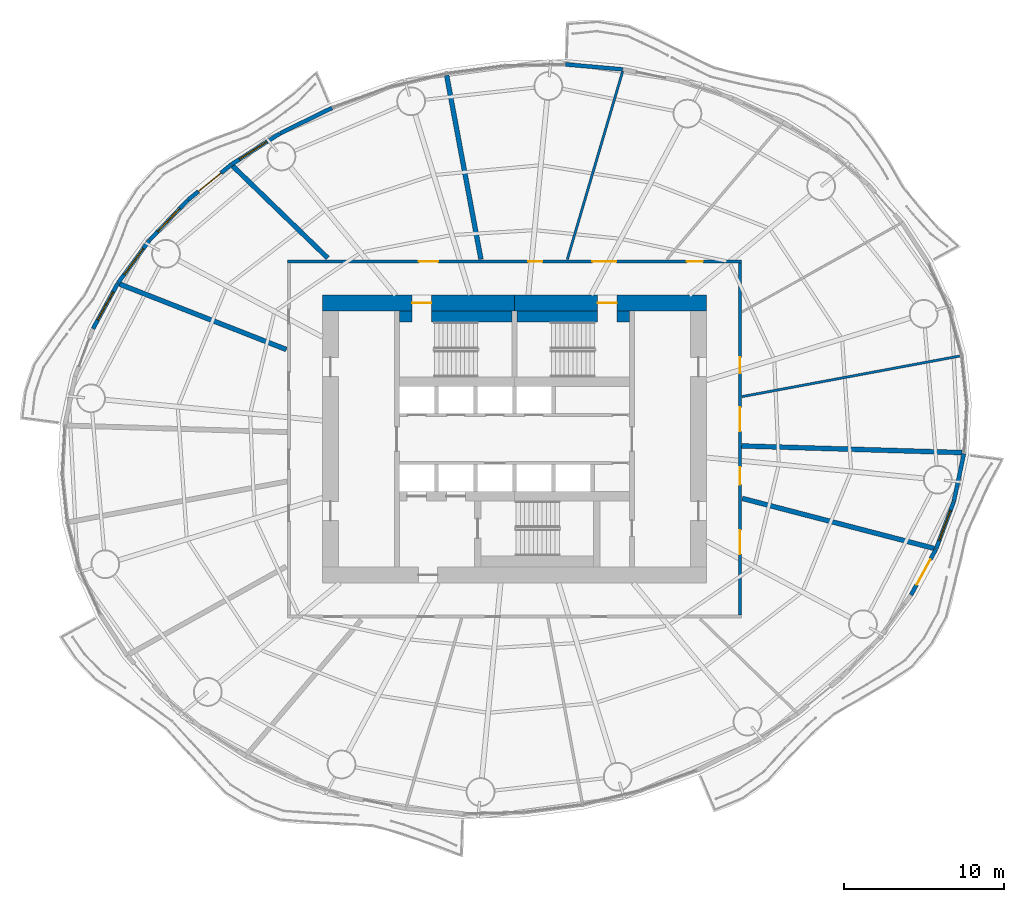
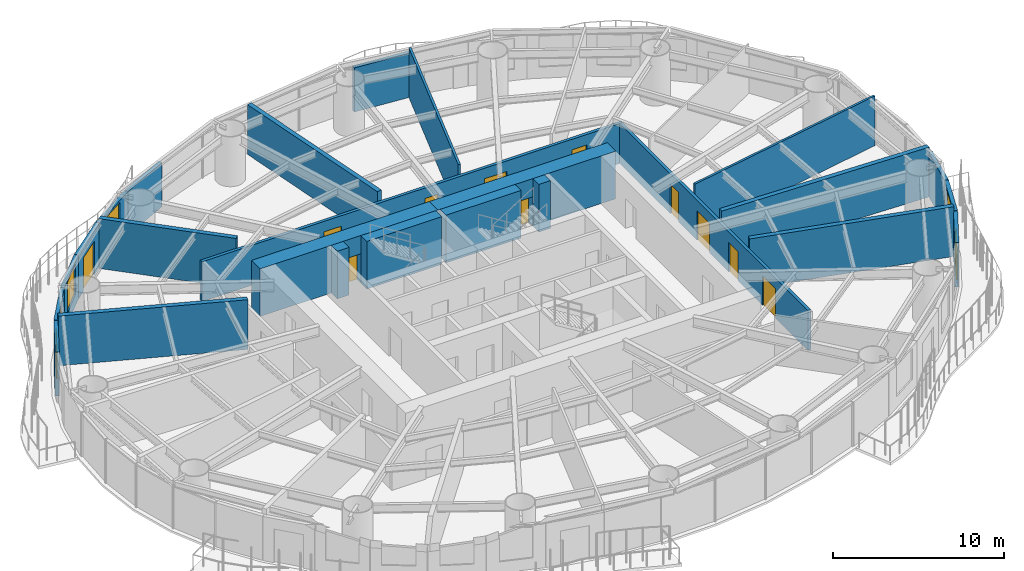
# One storey, part 10 of 17: 25 walls, 12 doors, 5 windows, 17 openings.
"""IFC4 building model written with IfcOpenShell, lengths in metres."""

from ifc_helpers import new_model, si_unit, direction, frame, frame_2d, origin, place, context, subcontext, project, spatial, rectangle, extrude, material, layer, layer_set, type_object, element, fill, save


model = new_model("IFC4")

# Units and contexts
model_context = context("Model", 3, precision=1e-05, world=origin(), true_north=direction((0.0, 1.0)))
body_context = subcontext(model_context, "Body", "Model", "MODEL_VIEW")
ifc_project = project(units=[si_unit("LENGTHUNIT", "METRE"), si_unit("AREAUNIT", "SQUARE_METRE"), si_unit("VOLUMEUNIT", "CUBIC_METRE"), si_unit("PLANEANGLEUNIT", "RADIAN"), si_unit("MASSUNIT", "GRAM", prefix="KILO")], contexts=[model_context])

# Site, building, storey
site_placement = place(None, origin())
site = spatial("IfcSite", under=ifc_project, at=site_placement, CompositionType="ELEMENT")
building_placement = place(site_placement, origin())
building = spatial("IfcBuilding", under=site, at=building_placement, Name="Vermilion Reach Broadcast Tower", CompositionType="ELEMENT")
storey_placement = place(building_placement, frame((0.0, 0.0, 76.699951171875)))
storey = spatial("IfcBuildingStorey", under=building, at=storey_placement, Name="L16", CompositionType="ELEMENT", Elevation=76.699951171875)

# Wall, opening, door
ifc_material_1 = material(Name="Concrete C70", Category="concrete")
ifc_layer_1 = layer(ifc_material_1, 1.0)
ifc_layer_set_1 = layer_set([ifc_layer_1], Name="Core outer wall 1000 mm Concrete C70")
wall_type_1 = type_object("IfcWallType", Name="Core outer wall 1000 mm Concrete C70", PredefinedType="SHEAR", material=ifc_layer_set_1)
wall_1_placement = place(storey_placement, frame((6.0, 8.5, 0.0), z_axis=(0.0, 0.0, 1.0), x_axis=(-1.0, 0.0, 0.0)))
wall_1 = element("IfcWall", 1, at=wall_1_placement, inside=storey, type_object=wall_type_1, Name="L16 core wall onE", PredefinedType="SHEAR", context=body_context, shape_type="SweptSolid", body=[
    extrude(rectangle(XDim=12.0, YDim=1.0, at=frame_2d((6.0, 0.0))), origin(), (0.0, 0.0, 1.0), 3.400146484375),
])
opening_1_placement = place(wall_1_placement, frame((5.60009765625, 0.0, 0.0)))
opening_1 = element("IfcOpeningElement", 2, at=opening_1_placement, cuts=wall_1, Name="Opening D01", PredefinedType="OPENING", context=body_context, shape_type="SweptSolid", body=[
    extrude(rectangle(XDim=1.199951171875, YDim=2.10009765625, at=frame_2d((0.60009765625, 1.050048828125))), frame((0.0, 0.510009765625, 0.0), z_axis=(0.0, -1.0, 0.0), x_axis=(1.0, 0.0, 0.0)), (0.0, 0.0, 1.0), 1.02001953125),
])
ifc_material_2 = material(Name="Painted steel fire door", Category="steel")
door_type_1 = type_object("IfcDoorType", Name="Stair door 1200 x 2100", OperationType="DOUBLE_DOOR_SINGLE_SWING", PredefinedType="NOTDEFINED", material=ifc_material_2)
door_1_placement = place(opening_1_placement, origin())
door_1 = element("IfcDoor", 3, at=door_1_placement, inside=storey, type_object=door_type_1, Name="L16 stair door ST2", OperationType="DOUBLE_DOOR_SINGLE_SWING", OverallHeight=2.10009765625, OverallWidth=1.199951171875, PredefinedType="NOTDEFINED", context=body_context, shape_type="SweptSolid", body=[
    extrude(rectangle(XDim=1.199951171875, YDim=2.10009765625, at=frame_2d((0.60009765625, 1.050048828125))), frame((0.0, 0.02490234375, 0.0), z_axis=(0.0, -1.0, 0.0), x_axis=(1.0, 0.0, 0.0)), (0.0, 0.0, 1.0), 0.050048828125),
])
fill(opening_1, door_1)

wall_2_placement = place(storey_placement, frame((-6.0, 8.5, 0.0), z_axis=(0.0, 0.0, 1.0), x_axis=(-1.0, 0.0, 0.0)))
wall_2 = element("IfcWall", 4, at=wall_2_placement, inside=storey, type_object=wall_type_1, Name="L16 core wall onW", PredefinedType="SHEAR", context=body_context, shape_type="SweptSolid", body=[
    extrude(rectangle(XDim=12.0, YDim=1.0, at=frame_2d((6.0, 0.0))), origin(), (0.0, 0.0, 1.0), 3.400146484375),
])
opening_2_placement = place(wall_2_placement, frame((5.199951171875, 0.0, 0.0)))
opening_2 = element("IfcOpeningElement", 5, at=opening_2_placement, cuts=wall_2, Name="Opening D01", PredefinedType="OPENING", context=body_context, shape_type="SweptSolid", body=[
    extrude(rectangle(XDim=1.199951171875, YDim=2.10009765625, at=frame_2d((0.60009765625, 1.050048828125))), frame((0.0, 0.510009765625, 0.0), z_axis=(0.0, -1.0, 0.0), x_axis=(1.0, 0.0, 0.0)), (0.0, 0.0, 1.0), 1.02001953125),
])
door_2_placement = place(opening_2_placement, origin())
door_2 = element("IfcDoor", 6, at=door_2_placement, inside=storey, type_object=door_type_1, Name="L16 stair door ST1", OperationType="DOUBLE_DOOR_SINGLE_SWING", OverallHeight=2.10009765625, OverallWidth=1.199951171875, PredefinedType="NOTDEFINED", context=body_context, shape_type="SweptSolid", body=[
    extrude(rectangle(XDim=1.199951171875, YDim=2.10009765625, at=frame_2d((0.60009765625, 1.050048828125))), frame((0.0, 0.02490234375, 0.0), z_axis=(0.0, -1.0, 0.0), x_axis=(1.0, 0.0, 0.0)), (0.0, 0.0, 1.0), 0.050048828125),
])
fill(opening_2, door_2)

# Walls
ifc_material_3 = material(Name="Concrete C70", Category="concrete")
ifc_layer_2 = layer(ifc_material_3, 0.699951171875)
ifc_layer_set_2 = layer_set([ifc_layer_2], Name="Core stair wall 700 mm Concrete C70")
wall_type_2 = type_object("IfcWallType", Name="Core stair wall 700 mm Concrete C70", PredefinedType="SHEAR", material=ifc_layer_set_2)
wall_3_placement = place(storey_placement, frame((-13.199951171875, 7.64990234375, 0.0), z_axis=(0.0, 0.0, 1.0), x_axis=(1.0, 0.0, 0.0)))
element("IfcWall", 7, at=wall_3_placement, inside=storey, type_object=wall_type_2, Name="L16 core wall l1a", PredefinedType="SHEAR", context=body_context, shape_type="SweptSolid", body=[
    extrude(rectangle(XDim=0.800048828125, YDim=0.699951171875, at=frame_2d((0.39990234375, 0.0))), origin(), (0.0, 0.0, 1.0), 3.400146484375),
])
for number, where, z_axis, x_axis, name in (
    (8, (-11.199951171875, 7.64990234375, 0.0), (0.0, 0.0, 1.0), (1.0, 0.0, 0.0), "L16 core wall l1b"),
    (9, (-5.85009765625, 7.64990234375, 0.0), (0.0, 0.0, 1.0), (1.0, 0.0, 0.0), "L16 core wall l2a"),
):
    element("IfcWall", number, at=place(storey_placement, frame(where, z_axis=z_axis, x_axis=x_axis)), inside=storey, type_object=wall_type_2, Name=name, PredefinedType="SHEAR", context=body_context, shape_type="SweptSolid", body=[
        extrude(rectangle(XDim=5.050048828125, YDim=0.699951171875, at=frame_2d((2.52490234375, 0.0))), origin(), (0.0, 0.0, 1.0), 3.400146484375),
    ])
wall_4_placement = place(storey_placement, frame((0.39990234375, 7.64990234375, 0.0), z_axis=(0.0, 0.0, 1.0), x_axis=(1.0, 0.0, 0.0)))
element("IfcWall", 10, at=wall_4_placement, inside=storey, type_object=wall_type_2, Name="L16 core wall l2b", PredefinedType="SHEAR", context=body_context, shape_type="SweptSolid", body=[
    extrude(rectangle(XDim=0.800048828125, YDim=0.699951171875, at=frame_2d((0.39990234375, 0.0))), origin(), (0.0, 0.0, 1.0), 3.400146484375),
])
ifc_material_4 = material(Name="Lightweight concrete block, plastered", Category="concrete")
ifc_layer_3 = layer(ifc_material_4, 0.14990234375)
ifc_layer_set_3 = layer_set([ifc_layer_3], Name="Partition 150 lightweight block")
wall_type_3 = type_object("IfcWallType", Name="Partition 150 lightweight block", PredefinedType="PARTITIONING", material=ifc_layer_set_3)
wall_5_placement = place(storey_placement, frame((21.825439453125, 5.187255859375, 0.0), z_axis=(0.0, 0.0, 1.0), x_axis=(-0.983062883459, -0.183268565676, 0.0)))
element("IfcWall", 11, at=wall_5_placement, inside=storey, type_object=wall_type_3, Name="Partition 16.01", PredefinedType="PARTITIONING", context=body_context, shape_type="SweptSolid", body=[
    extrude(rectangle(XDim=13.846435546875, YDim=0.14990234375, at=frame_2d((6.92333984375, 0.0))), origin(), (0.0, 0.0, 1.0), 3.550048828125),
])
wall_6_placement = place(storey_placement, frame((0.76171875, 22.976318359375, 0.0), z_axis=(0.0, 0.0, 1.0), x_axis=(-0.282322729793, -0.959319486012, 0.0)))
element("IfcWall", 12, at=wall_6_placement, inside=storey, type_object=wall_type_3, Name="Partition 16.04", PredefinedType="PARTITIONING", context=body_context, shape_type="SweptSolid", body=[
    extrude(rectangle(XDim=12.253662109375, YDim=0.14990234375, at=frame_2d((6.126953125, 0.0))), origin(), (0.0, 0.0, 1.0), 3.550048828125),
])
ifc_material_5 = material(Name="Double-leaf plasterboard on isolated steel stud", Category="steel")
ifc_layer_4 = layer(ifc_material_5, 0.300048828125)
ifc_layer_set_4 = layer_set([ifc_layer_4], Name="Partition 300 acoustic double leaf")
wall_type_4 = type_object("IfcWallType", Name="Partition 300 acoustic double leaf", PredefinedType="PARTITIONING", material=ifc_layer_set_4)
wall_7_placement = place(storey_placement, frame((-10.236572265625, 22.72607421875, 0.0), z_axis=(0.0, 0.0, 1.0), x_axis=(0.183262598903, -0.983063995803, 0.0)))
element("IfcWall", 13, at=wall_7_placement, inside=storey, type_object=wall_type_4, Name="Partition 16.05", PredefinedType="PARTITIONING", context=body_context, shape_type="SweptSolid", body=[
    extrude(rectangle(XDim=11.696533203125, YDim=0.300048828125, at=frame_2d((5.84814453125, 0.0))), origin(), (0.0, 0.0, 1.0), 3.550048828125),
])
wall_8_placement = place(storey_placement, frame((-23.609130859375, 17.066162109375, 0.0), z_axis=(0.0, 0.0, 1.0), x_axis=(0.718084916204, -0.695955496508, 0.0)))
element("IfcWall", 14, at=wall_8_placement, inside=storey, type_object=wall_type_4, Name="Partition 16.06", PredefinedType="PARTITIONING", context=body_context, shape_type="SweptSolid", body=[
    extrude(rectangle(XDim=8.2744140625, YDim=0.300048828125, at=frame_2d((4.13720703125, 0.0))), origin(), (0.0, 0.0, 1.0), 3.550048828125),
])
wall_9_placement = place(storey_placement, frame((-30.67529296875, 9.68310546875, 0.0), z_axis=(0.0, 0.0, 1.0), x_axis=(0.930891924133, -0.365294710588, 0.0)))
element("IfcWall", 15, at=wall_9_placement, inside=storey, type_object=wall_type_4, Name="Partition 16.07", PredefinedType="PARTITIONING", context=body_context, shape_type="SweptSolid", body=[
    extrude(rectangle(XDim=11.194091796875, YDim=0.300048828125, at=frame_2d((5.59716796875, 0.0))), origin(), (0.0, 0.0, 1.0), 3.550048828125),
])
wall_10_placement = place(storey_placement, frame((20.230224609375, -6.835205078125, 0.0), z_axis=(0.0, 0.0, 1.0), x_axis=(-0.967685437555, 0.252160452774, 0.0)))
element("IfcWall", 16, at=wall_10_placement, inside=storey, type_object=wall_type_4, Name="Partition 16.15", PredefinedType="PARTITIONING", context=body_context, shape_type="SweptSolid", body=[
    extrude(rectangle(XDim=12.392822265625, YDim=0.300048828125, at=frame_2d((6.1962890625, 0.0))), origin(), (0.0, 0.0, 1.0), 3.550048828125),
])
wall_11_placement = place(storey_placement, frame((21.976318359375, -0.848388671875, 0.0), z_axis=(0.0, 0.0, 1.0), x_axis=(-0.999540837696, 0.030300392357, 0.0)))
element("IfcWall", 17, at=wall_11_placement, inside=storey, type_object=wall_type_4, Name="Partition 16.16", PredefinedType="PARTITIONING", context=body_context, shape_type="SweptSolid", body=[
    extrude(rectangle(XDim=13.778076171875, YDim=0.300048828125, at=frame_2d((6.88916015625, 0.0))), origin(), (0.0, 0.0, 1.0), 3.550048828125),
])
ifc_material_6 = material(Name="Terracotta rainscreen cladding", Category="masonry")
ifc_layer_5 = layer(ifc_material_6, 0.25)
ifc_layer_set_5 = layer_set([ifc_layer_5], Name="Terracotta rainscreen wall 250")
wall_type_5 = type_object("IfcWallType", Name="Terracotta rainscreen wall 250", PredefinedType="SOLIDWALL", material=ifc_layer_set_5)
wall_12_placement = place(storey_placement, frame((0.768310546875, 23.10107421875, 0.0), z_axis=(0.0, 0.0, 1.0), x_axis=(-0.996218891736, 0.086878764662, 0.0)))
element("IfcWall", 18, at=wall_12_placement, inside=storey, type_object=wall_type_5, Name="External wall L16 09", PredefinedType="SOLIDWALL", context=body_context, shape_type="SweptSolid", body=[
    extrude(rectangle(XDim=3.59423828125, YDim=0.25, at=frame_2d((1.797119140625, 0.0))), origin(), (0.0, 0.0, 1.0), 3.150146484375),
])
wall_13_placement = place(storey_placement, frame((-17.409912109375, 20.692138671875, 0.0), z_axis=(0.0, 0.0, 1.0), x_axis=(-0.897998084463, -0.439999363978, 0.0)))
element("IfcWall", 19, at=wall_13_placement, inside=storey, type_object=wall_type_5, Name="External wall L16 14", PredefinedType="SOLIDWALL", context=body_context, shape_type="SweptSolid", body=[
    extrude(rectangle(XDim=3.594482421875, YDim=0.25, at=frame_2d((1.79736328125, 0.0))), origin(), (0.0, 0.0, 1.0), 3.150146484375),
])

# Wall, opening, window
wall_14_placement = place(storey_placement, frame((-20.65673828125, 19.099609375, 0.0), z_axis=(0.0, 0.0, 1.0), x_axis=(-0.842814889598, -0.538203550594, 0.0)))
wall_14 = element("IfcWall", 20, at=wall_14_placement, inside=storey, type_object=wall_type_5, Name="External wall L16 15", PredefinedType="SOLIDWALL", context=body_context, shape_type="SweptSolid", body=[
    extrude(rectangle(XDim=3.57861328125, YDim=0.25, at=frame_2d((1.789306640625, 0.0))), origin(), (0.0, 0.0, 1.0), 3.150146484375),
])
opening_3_placement = place(wall_14_placement, frame((0.989013671875, 0.0, 0.800048828125)))
opening_3 = element("IfcOpeningElement", 21, at=opening_3_placement, cuts=wall_14, Name="Opening W01", PredefinedType="OPENING", context=body_context, shape_type="SweptSolid", body=[
    extrude(rectangle(XDim=2.0, YDim=2.199951171875, at=frame_2d((1.0, 1.10009765625))), frame((0.0, 0.135009765625, 0.0), z_axis=(0.0, -1.0, 0.0), x_axis=(1.0, 0.0, 0.0)), (0.0, 0.0, 1.0), 0.27001953125),
])
ifc_material_7 = material(Name="Low-e laminated clear glass in aluminium frame", Category="aluminium")
window_type = type_object("IfcWindowType", Name="Punched window 2000 x 2200 sill 800", PartitioningType="SINGLE_PANEL", PredefinedType="WINDOW", material=ifc_material_7)
window_1_placement = place(opening_3_placement, origin())
window_1 = element("IfcWindow", 22, at=window_1_placement, inside=storey, type_object=window_type, Name="Window L16 15", OverallHeight=2.199951171875, OverallWidth=2.0, PartitioningType="SINGLE_PANEL", PredefinedType="WINDOW", context=body_context, shape_type="SweptSolid", body=[
    extrude(rectangle(XDim=2.0, YDim=2.199951171875, at=frame_2d((1.0, 1.10009765625))), frame((0.0, 0.030029296875, 0.0), z_axis=(0.0, -1.0, 0.0), x_axis=(1.0, 0.0, 0.0)), (0.0, 0.0, 1.0), 0.06005859375),
])
fill(opening_3, window_1)

# Wall, opening, door
wall_15_placement = place(storey_placement, frame((-23.691162109375, 17.160400390625, 0.0), z_axis=(0.0, 0.0, 1.0), x_axis=(-0.774224225452, -0.632911406694, 0.0)))
wall_15 = element("IfcWall", 23, at=wall_15_placement, inside=storey, type_object=wall_type_5, Name="External wall L16 16", PredefinedType="SOLIDWALL", context=body_context, shape_type="SweptSolid", body=[
    extrude(rectangle(XDim=3.503662109375, YDim=0.25, at=frame_2d((1.751953125, 0.0))), origin(), (0.0, 0.0, 1.0), 3.150146484375),
])
opening_4_placement = place(wall_15_placement, frame((0.85205078125, 0.0, 0.0)))
opening_4 = element("IfcOpeningElement", 24, at=opening_4_placement, cuts=wall_15, Name="Opening D70", PredefinedType="OPENING", context=body_context, shape_type="SweptSolid", body=[
    extrude(rectangle(XDim=1.800048828125, YDim=2.39990234375, at=frame_2d((0.89990234375, 1.199951171875))), frame((0.0, 0.135009765625, 0.0), z_axis=(0.0, -1.0, 0.0), x_axis=(1.0, 0.0, 0.0)), (0.0, 0.0, 1.0), 0.27001953125),
])
ifc_material_8 = material(Name="Low-e laminated clear glass in aluminium frame", Category="aluminium")
door_type_2 = type_object("IfcDoorType", Name="Balcony sliding door 1800 x 2400", OperationType="DOUBLE_DOOR_SLIDING", PredefinedType="DOOR", material=ifc_material_8)
door_3_placement = place(opening_4_placement, origin())
door_3 = element("IfcDoor", 25, at=door_3_placement, inside=storey, type_object=door_type_2, Name="Balcony door L16 run 04", OperationType="DOUBLE_DOOR_SLIDING", OverallHeight=2.39990234375, OverallWidth=1.800048828125, PredefinedType="DOOR", context=body_context, shape_type="SweptSolid", body=[
    extrude(rectangle(XDim=1.800048828125, YDim=2.39990234375, at=frame_2d((0.89990234375, 1.199951171875))), frame((0.0, 0.02490234375, 0.0), z_axis=(0.0, -1.0, 0.0), x_axis=(1.0, 0.0, 0.0)), (0.0, 0.0, 1.0), 0.050048828125),
])
fill(opening_4, door_3)

# Wall, opening, window
wall_16_placement = place(storey_placement, frame((-26.4208984375, 14.92724609375, 0.0), z_axis=(0.0, 0.0, 1.0), x_axis=(-0.691365335557, -0.722505344472, 0.0)))
wall_16 = element("IfcWall", 26, at=wall_16_placement, inside=storey, type_object=wall_type_5, Name="External wall L16 17", PredefinedType="SOLIDWALL", context=body_context, shape_type="SweptSolid", body=[
    extrude(rectangle(XDim=3.418212890625, YDim=0.25, at=frame_2d((1.708984375, 0.0))), origin(), (0.0, 0.0, 1.0), 3.150146484375),
])
opening_5_placement = place(wall_16_placement, frame((0.708984375, 0.0, 0.800048828125)))
opening_5 = element("IfcOpeningElement", 27, at=opening_5_placement, cuts=wall_16, Name="Opening W01", PredefinedType="OPENING", context=body_context, shape_type="SweptSolid", body=[
    extrude(rectangle(XDim=2.0, YDim=2.199951171875, at=frame_2d((1.0, 1.10009765625))), frame((0.0, 0.135009765625, 0.0), z_axis=(0.0, -1.0, 0.0), x_axis=(1.0, 0.0, 0.0)), (0.0, 0.0, 1.0), 0.27001953125),
])
window_2_placement = place(opening_5_placement, origin())
window_2 = element("IfcWindow", 28, at=window_2_placement, inside=storey, type_object=window_type, Name="Window L16 17", OverallHeight=2.199951171875, OverallWidth=2.0, PartitioningType="SINGLE_PANEL", PredefinedType="WINDOW", context=body_context, shape_type="SweptSolid", body=[
    extrude(rectangle(XDim=2.0, YDim=2.199951171875, at=frame_2d((1.0, 1.10009765625))), frame((0.0, 0.030029296875, 0.0), z_axis=(0.0, -1.0, 0.0), x_axis=(1.0, 0.0, 0.0)), (0.0, 0.0, 1.0), 0.06005859375),
])
fill(opening_5, window_2)

wall_17_placement = place(storey_placement, frame((-28.799560546875, 12.439208984375, 0.0), z_axis=(0.0, 0.0, 1.0), x_axis=(-0.593169002349, -0.805077968058, 0.0)))
wall_17 = element("IfcWall", 29, at=wall_17_placement, inside=storey, type_object=wall_type_5, Name="External wall L16 18", PredefinedType="SOLIDWALL", context=body_context, shape_type="SweptSolid", body=[
    extrude(rectangle(XDim=3.3271484375, YDim=0.25, at=frame_2d((1.66357421875, 0.0))), origin(), (0.0, 0.0, 1.0), 3.150146484375),
])
opening_6_placement = place(wall_17_placement, frame((0.66357421875, 0.0, 0.800048828125)))
opening_6 = element("IfcOpeningElement", 30, at=opening_6_placement, cuts=wall_17, Name="Opening W01", PredefinedType="OPENING", context=body_context, shape_type="SweptSolid", body=[
    extrude(rectangle(XDim=2.0, YDim=2.199951171875, at=frame_2d((1.0, 1.10009765625))), frame((0.0, 0.135009765625, 0.0), z_axis=(0.0, -1.0, 0.0), x_axis=(1.0, 0.0, 0.0)), (0.0, 0.0, 1.0), 0.27001953125),
])
window_3_placement = place(opening_6_placement, origin())
window_3 = element("IfcWindow", 31, at=window_3_placement, inside=storey, type_object=window_type, Name="Window L16 18", OverallHeight=2.199951171875, OverallWidth=2.0, PartitioningType="SINGLE_PANEL", PredefinedType="WINDOW", context=body_context, shape_type="SweptSolid", body=[
    extrude(rectangle(XDim=2.0, YDim=2.199951171875, at=frame_2d((1.0, 1.10009765625))), frame((0.0, 0.030029296875, 0.0), z_axis=(0.0, -1.0, 0.0), x_axis=(1.0, 0.0, 0.0)), (0.0, 0.0, 1.0), 0.06005859375),
])
fill(opening_6, window_3)

wall_18_placement = place(storey_placement, frame((-30.78662109375, 9.739501953125, 0.0), z_axis=(0.0, 0.0, 1.0), x_axis=(-0.479174455818, -0.877719682411, 0.0)))
wall_18 = element("IfcWall", 32, at=wall_18_placement, inside=storey, type_object=wall_type_5, Name="External wall L16 19", PredefinedType="SOLIDWALL", context=body_context, shape_type="SweptSolid", body=[
    extrude(rectangle(XDim=3.23681640625, YDim=0.25, at=frame_2d((1.618408203125, 0.0))), origin(), (0.0, 0.0, 1.0), 3.150146484375),
])
opening_7_placement = place(wall_18_placement, frame((0.618408203125, 0.0, 0.800048828125)))
opening_7 = element("IfcOpeningElement", 33, at=opening_7_placement, cuts=wall_18, Name="Opening W01", PredefinedType="OPENING", context=body_context, shape_type="SweptSolid", body=[
    extrude(rectangle(XDim=2.0, YDim=2.199951171875, at=frame_2d((1.0, 1.10009765625))), frame((0.0, 0.135009765625, 0.0), z_axis=(0.0, -1.0, 0.0), x_axis=(1.0, 0.0, 0.0)), (0.0, 0.0, 1.0), 0.27001953125),
])
window_4_placement = place(opening_7_placement, origin())
window_4 = element("IfcWindow", 34, at=window_4_placement, inside=storey, type_object=window_type, Name="Window L16 19", OverallHeight=2.199951171875, OverallWidth=2.0, PartitioningType="SINGLE_PANEL", PredefinedType="WINDOW", context=body_context, shape_type="SweptSolid", body=[
    extrude(rectangle(XDim=2.0, YDim=2.199951171875, at=frame_2d((1.0, 1.10009765625))), frame((0.0, 0.030029296875, 0.0), z_axis=(0.0, -1.0, 0.0), x_axis=(1.0, 0.0, 0.0)), (0.0, 0.0, 1.0), 0.06005859375),
])
fill(opening_7, window_4)

# Wall, opening, door
wall_19_placement = place(storey_placement, frame((18.78662109375, -9.739501953125, 0.0), z_axis=(0.0, 0.0, 1.0), x_axis=(0.479174455818, 0.877719682411, 0.0)))
wall_19 = element("IfcWall", 35, at=wall_19_placement, inside=storey, type_object=wall_type_5, Name="External wall L16 43", PredefinedType="SOLIDWALL", context=body_context, shape_type="SweptSolid", body=[
    extrude(rectangle(XDim=3.23681640625, YDim=0.25, at=frame_2d((1.618408203125, 0.0))), origin(), (0.0, 0.0, 1.0), 3.150146484375),
])
opening_8_placement = place(wall_19_placement, frame((0.718017578125, 0.0, 0.0)))
opening_8 = element("IfcOpeningElement", 36, at=opening_8_placement, cuts=wall_19, Name="Opening D70", PredefinedType="OPENING", context=body_context, shape_type="SweptSolid", body=[
    extrude(rectangle(XDim=1.800048828125, YDim=2.39990234375, at=frame_2d((0.89990234375, 1.199951171875))), frame((0.0, 0.135009765625, 0.0), z_axis=(0.0, -1.0, 0.0), x_axis=(1.0, 0.0, 0.0)), (0.0, 0.0, 1.0), 0.27001953125),
])
door_4_placement = place(opening_8_placement, origin())
door_4 = element("IfcDoor", 37, at=door_4_placement, inside=storey, type_object=door_type_2, Name="Balcony door L16 run 11", OperationType="DOUBLE_DOOR_SLIDING", OverallHeight=2.39990234375, OverallWidth=1.800048828125, PredefinedType="DOOR", context=body_context, shape_type="SweptSolid", body=[
    extrude(rectangle(XDim=1.800048828125, YDim=2.39990234375, at=frame_2d((0.89990234375, 1.199951171875))), frame((0.0, 0.02490234375, 0.0), z_axis=(0.0, -1.0, 0.0), x_axis=(1.0, 0.0, 0.0)), (0.0, 0.0, 1.0), 0.050048828125),
])
fill(opening_8, door_4)

# Wall, opening, window
wall_20_placement = place(storey_placement, frame((20.348388671875, -6.875, 0.0), z_axis=(0.0, 0.0, 1.0), x_axis=(0.349935355695, 0.936773850422, 0.0)))
wall_20 = element("IfcWall", 38, at=wall_20_placement, inside=storey, type_object=wall_type_5, Name="External wall L16 44", PredefinedType="SOLIDWALL", context=body_context, shape_type="SweptSolid", body=[
    extrude(rectangle(XDim=3.153564453125, YDim=0.25, at=frame_2d((1.57666015625, 0.0))), origin(), (0.0, 0.0, 1.0), 3.150146484375),
])
opening_9_placement = place(wall_20_placement, frame((0.576904296875, 0.0, 0.800048828125)))
opening_9 = element("IfcOpeningElement", 39, at=opening_9_placement, cuts=wall_20, Name="Opening W01", PredefinedType="OPENING", context=body_context, shape_type="SweptSolid", body=[
    extrude(rectangle(XDim=2.0, YDim=2.199951171875, at=frame_2d((1.0, 1.10009765625))), frame((0.0, 0.135009765625, 0.0), z_axis=(0.0, -1.0, 0.0), x_axis=(1.0, 0.0, 0.0)), (0.0, 0.0, 1.0), 0.27001953125),
])
window_5_placement = place(opening_9_placement, origin())
window_5 = element("IfcWindow", 40, at=window_5_placement, inside=storey, type_object=window_type, Name="Window L16 44", OverallHeight=2.199951171875, OverallWidth=2.0, PartitioningType="SINGLE_PANEL", PredefinedType="WINDOW", context=body_context, shape_type="SweptSolid", body=[
    extrude(rectangle(XDim=2.0, YDim=2.199951171875, at=frame_2d((1.0, 1.10009765625))), frame((0.0, 0.030029296875, 0.0), z_axis=(0.0, -1.0, 0.0), x_axis=(1.0, 0.0, 0.0)), (0.0, 0.0, 1.0), 0.06005859375),
])
fill(opening_9, window_5)

# Wall
wall_21_placement = place(storey_placement, frame((21.459228515625, -3.895263671875, 0.0), z_axis=(0.0, 0.0, 1.0), x_axis=(0.206952682713, 0.97835095294, 0.0)))
element("IfcWall", 41, at=wall_21_placement, inside=storey, type_object=wall_type_5, Name="External wall L16 45", PredefinedType="SOLIDWALL", context=body_context, shape_type="SweptSolid", body=[
    extrude(rectangle(XDim=3.04248046875, YDim=0.25, at=frame_2d((1.521240234375, 0.0))), origin(), (0.0, 0.0, 1.0), 3.150146484375),
])

# Wall, openings, doors
ifc_material_9 = material(Name="Fire-rated gypsum board partition")
ifc_layer_6 = layer(ifc_material_9, 0.199951171875)
ifc_layer_set_6 = layer_set([ifc_layer_6], Name="Under girder: Corridor wall 200 fire-rated")
wall_type_6 = type_object("IfcWallType", Name="Under girder: Corridor wall 200 fire-rated", PredefinedType="PARTITIONING", material=ifc_layer_set_6)
wall_22_placement = place(storey_placement, frame((-20.199951171875, 11.10009765625, 0.0), z_axis=(0.0, 0.0, 1.0), x_axis=(1.0, 0.0, 0.0)))
wall_22 = element("IfcWall", 42, at=wall_22_placement, inside=storey, type_object=wall_type_6, Name="Corridor wall 16.N", PredefinedType="PARTITIONING", context=body_context, shape_type="SweptSolid", body=[
    extrude(rectangle(XDim=28.39990234375, YDim=0.199951171875, at=frame_2d((14.199951171875, 0.0))), origin(), (0.0, 0.0, 1.0), 2.85009765625),
])
opening_10_placement = place(wall_22_placement, frame((24.97705078125, 0.0, 0.0)))
opening_10 = element("IfcOpeningElement", 43, at=opening_10_placement, cuts=wall_22, Name="Opening D20", PredefinedType="OPENING", context=body_context, shape_type="SweptSolid", body=[
    extrude(rectangle(XDim=1.0, YDim=2.10009765625, at=frame_2d((0.5, 1.050048828125))), frame((0.0, 0.10986328125, 0.0), z_axis=(0.0, -1.0, 0.0), x_axis=(1.0, 0.0, 0.0)), (0.0, 0.0, 1.0), 0.219970703125),
])
opening_11_placement = place(wall_22_placement, frame((19.075927734375, 0.0, 0.0)))
opening_11 = element("IfcOpeningElement", 44, at=opening_11_placement, cuts=wall_22, Name="Opening D24", PredefinedType="OPENING", context=body_context, shape_type="SweptSolid", body=[
    extrude(rectangle(XDim=1.5, YDim=2.10009765625, at=frame_2d((0.75, 1.050048828125))), frame((0.0, 0.10986328125, 0.0), z_axis=(0.0, -1.0, 0.0), x_axis=(1.0, 0.0, 0.0)), (0.0, 0.0, 1.0), 0.219970703125),
])
opening_12_placement = place(wall_22_placement, frame((15.05078125, 0.0, 0.0)))
opening_12 = element("IfcOpeningElement", 45, at=opening_12_placement, cuts=wall_22, Name="Opening D22", PredefinedType="OPENING", context=body_context, shape_type="SweptSolid", body=[
    extrude(rectangle(XDim=0.89990234375, YDim=2.10009765625, at=frame_2d((0.449951171875, 1.050048828125))), frame((0.0, 0.10986328125, 0.0), z_axis=(0.0, -1.0, 0.0), x_axis=(1.0, 0.0, 0.0)), (0.0, 0.0, 1.0), 0.219970703125),
])
opening_13_placement = place(wall_22_placement, frame((8.2314453125, 0.0, 0.0)))
opening_13 = element("IfcOpeningElement", 46, at=opening_13_placement, cuts=wall_22, Name="Opening D26", PredefinedType="OPENING", context=body_context, shape_type="SweptSolid", body=[
    extrude(rectangle(XDim=1.199951171875, YDim=2.10009765625, at=frame_2d((0.60009765625, 1.050048828125))), frame((0.0, 0.10986328125, 0.0), z_axis=(0.0, -1.0, 0.0), x_axis=(1.0, 0.0, 0.0)), (0.0, 0.0, 1.0), 0.219970703125),
])
ifc_material_10 = material(Name="Timber door leaf", Category="wood")
door_type_3 = type_object("IfcDoorType", Name="Door pair 1500x2100", OperationType="NOTDEFINED", PredefinedType="DOOR", material=ifc_material_10)
door_5_placement = place(opening_11_placement, origin())
door_5 = element("IfcDoor", 47, at=door_5_placement, inside=storey, type_object=door_type_3, Name="Door 16.03", OperationType="DOUBLE_DOOR_SINGLE_SWING", OverallHeight=2.10009765625, OverallWidth=1.5, PredefinedType="DOOR", context=body_context, shape_type="SweptSolid", body=[
    extrude(rectangle(XDim=1.5, YDim=2.10009765625, at=frame_2d((0.75, 1.050048828125))), frame((0.0, 0.02490234375, 0.0), z_axis=(0.0, -1.0, 0.0), x_axis=(1.0, 0.0, 0.0)), (0.0, 0.0, 1.0), 0.050048828125),
])
fill(opening_11, door_5)
ifc_material_11 = material(Name="Timber door leaf", Category="wood")
door_type_4 = type_object("IfcDoorType", Name="Door single 1000x2100", OperationType="NOTDEFINED", PredefinedType="DOOR", material=ifc_material_11)
door_6_placement = place(opening_10_placement, origin())
door_6 = element("IfcDoor", 48, at=door_6_placement, inside=storey, type_object=door_type_4, Name="Door 16.02", OperationType="SINGLE_SWING_LEFT", OverallHeight=2.10009765625, OverallWidth=1.0, PredefinedType="DOOR", context=body_context, shape_type="SweptSolid", body=[
    extrude(rectangle(XDim=1.0, YDim=2.10009765625, at=frame_2d((0.5, 1.050048828125))), frame((0.0, 0.02490234375, 0.0), z_axis=(0.0, -1.0, 0.0), x_axis=(1.0, 0.0, 0.0)), (0.0, 0.0, 1.0), 0.050048828125),
])
fill(opening_10, door_6)
ifc_material_12 = material(Name="Acoustic timber door leaf", Category="wood")
door_type_5 = type_object("IfcDoorType", Name="Door single 1200x2100", OperationType="NOTDEFINED", PredefinedType="DOOR", material=ifc_material_12)
door_7_placement = place(opening_13_placement, origin())
door_7 = element("IfcDoor", 49, at=door_7_placement, inside=storey, type_object=door_type_5, Name="Door 16.05", OperationType="SINGLE_SWING_RIGHT", OverallHeight=2.10009765625, OverallWidth=1.199951171875, PredefinedType="DOOR", context=body_context, shape_type="SweptSolid", body=[
    extrude(rectangle(XDim=1.199951171875, YDim=2.10009765625, at=frame_2d((0.60009765625, 1.050048828125))), frame((0.0, 0.02490234375, 0.0), z_axis=(0.0, -1.0, 0.0), x_axis=(1.0, 0.0, 0.0)), (0.0, 0.0, 1.0), 0.050048828125),
])
fill(opening_13, door_7)
ifc_material_13 = material(Name="Timber door leaf", Category="wood")
door_type_6 = type_object("IfcDoorType", Name="Door single 900x2100", OperationType="NOTDEFINED", PredefinedType="DOOR", material=ifc_material_13)
door_8_placement = place(opening_12_placement, origin())
door_8 = element("IfcDoor", 50, at=door_8_placement, inside=storey, type_object=door_type_6, Name="Door 16.04", OperationType="SINGLE_SWING_RIGHT", OverallHeight=2.10009765625, OverallWidth=0.89990234375, PredefinedType="DOOR", context=body_context, shape_type="SweptSolid", body=[
    extrude(rectangle(XDim=0.89990234375, YDim=2.10009765625, at=frame_2d((0.449951171875, 1.050048828125))), frame((0.0, 0.02490234375, 0.0), z_axis=(0.0, -1.0, 0.0), x_axis=(1.0, 0.0, 0.0)), (0.0, 0.0, 1.0), 0.050048828125),
])
fill(opening_12, door_8)

wall_23_placement = place(storey_placement, frame((8.10009765625, 11.0, 0.0), z_axis=(0.0, 0.0, 1.0), x_axis=(0.0, -1.0, 0.0)))
wall_23 = element("IfcWall", 51, at=wall_23_placement, inside=storey, type_object=wall_type_6, Name="Corridor wall 16.E", PredefinedType="PARTITIONING", context=body_context, shape_type="SweptSolid", body=[
    extrude(rectangle(XDim=22.0, YDim=0.199951171875, at=frame_2d((11.0, 0.0))), origin(), (0.0, 0.0, 1.0), 2.85009765625),
])
opening_14_placement = place(wall_23_placement, frame((5.897705078125, 0.0, 0.0)))
opening_14 = element("IfcOpeningElement", 52, at=opening_14_placement, cuts=wall_23, Name="Opening D20", PredefinedType="OPENING", context=body_context, shape_type="SweptSolid", body=[
    extrude(rectangle(XDim=1.0, YDim=2.10009765625, at=frame_2d((0.5, 1.050048828125))), frame((0.0, 0.10986328125, 0.0), z_axis=(0.0, -1.0, 0.0), x_axis=(1.0, 0.0, 0.0)), (0.0, 0.0, 1.0), 0.219970703125),
])
opening_15_placement = place(wall_23_placement, frame((16.7001953125, 0.0, 0.0)))
opening_15 = element("IfcOpeningElement", 53, at=opening_15_placement, cuts=wall_23, Name="Opening D24", PredefinedType="OPENING", context=body_context, shape_type="SweptSolid", body=[
    extrude(rectangle(XDim=1.5, YDim=2.10009765625, at=frame_2d((0.75, 1.050048828125))), frame((0.0, 0.10986328125, 0.0), z_axis=(0.0, -1.0, 0.0), x_axis=(1.0, 0.0, 0.0)), (0.0, 0.0, 1.0), 0.219970703125),
])
opening_16_placement = place(wall_23_placement, frame((12.749267578125, 0.0, 0.0)))
opening_16 = element("IfcOpeningElement", 54, at=opening_16_placement, cuts=wall_23, Name="Opening D28", PredefinedType="OPENING", context=body_context, shape_type="SweptSolid", body=[
    extrude(rectangle(XDim=1.10009765625, YDim=2.10009765625, at=frame_2d((0.550048828125, 1.050048828125))), frame((0.0, 0.10986328125, 0.0), z_axis=(0.0, -1.0, 0.0), x_axis=(1.0, 0.0, 0.0)), (0.0, 0.0, 1.0), 0.219970703125),
])
opening_17_placement = place(wall_23_placement, frame((9.026123046875, 0.0, 0.0)))
opening_17 = element("IfcOpeningElement", 55, at=opening_17_placement, cuts=wall_23, Name="Opening D24", PredefinedType="OPENING", context=body_context, shape_type="SweptSolid", body=[
    extrude(rectangle(XDim=1.5, YDim=2.10009765625, at=frame_2d((0.75, 1.050048828125))), frame((0.0, 0.10986328125, 0.0), z_axis=(0.0, -1.0, 0.0), x_axis=(1.0, 0.0, 0.0)), (0.0, 0.0, 1.0), 0.219970703125),
])
door_9_placement = place(opening_15_placement, origin())
door_9 = element("IfcDoor", 56, at=door_9_placement, inside=storey, type_object=door_type_3, Name="Door 16.14", OperationType="DOUBLE_DOOR_SINGLE_SWING", OverallHeight=2.10009765625, OverallWidth=1.5, PredefinedType="DOOR", context=body_context, shape_type="SweptSolid", body=[
    extrude(rectangle(XDim=1.5, YDim=2.10009765625, at=frame_2d((0.75, 1.050048828125))), frame((0.0, 0.02490234375, 0.0), z_axis=(0.0, -1.0, 0.0), x_axis=(1.0, 0.0, 0.0)), (0.0, 0.0, 1.0), 0.050048828125),
])
fill(opening_15, door_9)
door_10_placement = place(opening_17_placement, origin())
door_10 = element("IfcDoor", 57, at=door_10_placement, inside=storey, type_object=door_type_3, Name="Door 16.16", OperationType="DOUBLE_DOOR_SINGLE_SWING", OverallHeight=2.10009765625, OverallWidth=1.5, PredefinedType="DOOR", context=body_context, shape_type="SweptSolid", body=[
    extrude(rectangle(XDim=1.5, YDim=2.10009765625, at=frame_2d((0.75, 1.050048828125))), frame((0.0, 0.02490234375, 0.0), z_axis=(0.0, -1.0, 0.0), x_axis=(1.0, 0.0, 0.0)), (0.0, 0.0, 1.0), 0.050048828125),
])
fill(opening_17, door_10)
door_11_placement = place(opening_14_placement, origin())
door_11 = element("IfcDoor", 58, at=door_11_placement, inside=storey, type_object=door_type_4, Name="Door 16.01", OperationType="SINGLE_SWING_RIGHT", OverallHeight=2.10009765625, OverallWidth=1.0, PredefinedType="DOOR", context=body_context, shape_type="SweptSolid", body=[
    extrude(rectangle(XDim=1.0, YDim=2.10009765625, at=frame_2d((0.5, 1.050048828125))), frame((0.0, 0.02490234375, 0.0), z_axis=(0.0, -1.0, 0.0), x_axis=(1.0, 0.0, 0.0)), (0.0, 0.0, 1.0), 0.050048828125),
])
fill(opening_14, door_11)
ifc_material_14 = material(Name="Acoustic sound-lock door leaf")
door_type_7 = type_object("IfcDoorType", Name="Door single 1100x2100", OperationType="NOTDEFINED", PredefinedType="DOOR", material=ifc_material_14)
door_12_placement = place(opening_16_placement, origin())
door_12 = element("IfcDoor", 59, at=door_12_placement, inside=storey, type_object=door_type_7, Name="Door 16.15", OperationType="SINGLE_SWING_RIGHT", OverallHeight=2.10009765625, OverallWidth=1.10009765625, PredefinedType="DOOR", context=body_context, shape_type="SweptSolid", body=[
    extrude(rectangle(XDim=1.10009765625, YDim=2.10009765625, at=frame_2d((0.550048828125, 1.050048828125))), frame((0.0, 0.02490234375, 0.0), z_axis=(0.0, -1.0, 0.0), x_axis=(1.0, 0.0, 0.0)), (0.0, 0.0, 1.0), 0.050048828125),
])
fill(opening_16, door_12)

save(model, "model.ifc")
